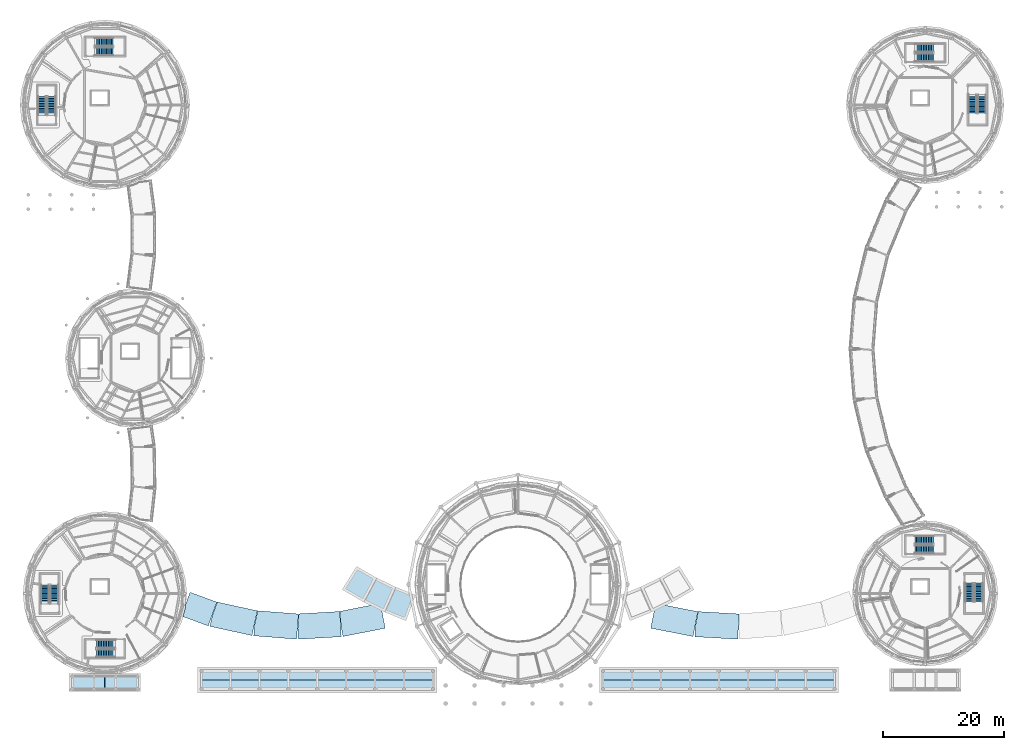
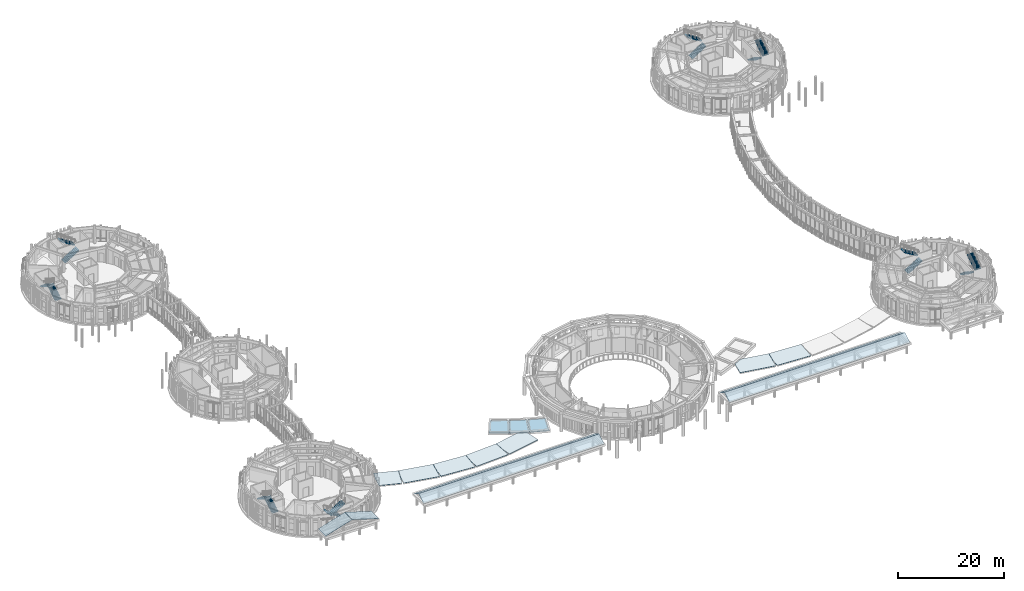
# One storey, part 57 of 80: 16 roofs, 16 stair flights, 8 elements without a shape of their own.
"""IFC4 building model written with IfcOpenShell, lengths in metres."""

import ifcopenshell
import ifcopenshell.guid

model = None  # the IFC model being written
_history = None  # IfcOwnerHistory: only IFC2X3 demands one
_inside = {}  # id of a spatial element -> (the spatial element, [elements in it])
_under = {}  # id of a project, library or spatial element -> (it, [spatial elements below it])
_declared = {}  # id of a project -> (the project, [libraries it declares])
_typed = {}  # id of a type object -> (the type object, [elements of that type])
_made_of = {}  # id of a material, layer set ... -> (it, [elements and type objects made of it])


def new_model(schema):
    """Start an empty IFC model of exactly this schema.

    Asked for "IFC4X3", IfcOpenShell would pick the latest addendum, in which some entities
    have other attributes; the version numbers below select the first issue.
    IFC2X3 requires an IfcOwnerHistory on every rooted entity: one is made here for all.
    """
    global model, _history
    if schema == "IFC4X3":
        model = ifcopenshell.file(schema_version=(4, 3, 0, 0))
    else:
        model = ifcopenshell.file(schema=schema)
    _inside.clear()
    _under.clear()
    _declared.clear()
    _typed.clear()
    _made_of.clear()
    _history = None
    if model.schema == "IFC2X3":
        org = make("IfcOrganization", Name="unknown")
        user = make(
            "IfcPersonAndOrganization",
            ThePerson=make("IfcPerson", FamilyName="unknown"),
            TheOrganization=org,
        )
        app = make(
            "IfcApplication",
            ApplicationDeveloper=org,
            Version="unknown",
            ApplicationFullName="unknown",
            ApplicationIdentifier="unknown",
        )
        _history = make(
            "IfcOwnerHistory",
            OwningUser=user,
            OwningApplication=app,
            ChangeAction="ADDED",
            CreationDate=0,
        )
    return model


def make(cls, **values):
    """One entity of the class cls with the attributes given. An attribute that is None is left unset."""
    return model.create_entity(
        cls, **{name: value for name, value in values.items() if value is not None}
    )


def rooted(cls, **values):
    """An entity with a GlobalId (a new one), such as an element, a storey or a relation."""
    return make(cls, GlobalId=ifcopenshell.guid.new(), OwnerHistory=_history, **values)


def si_unit(unit_type, name, prefix=None):
    """IfcSIUnit, for example si_unit("LENGTHUNIT", "METRE", prefix="MILLI")."""
    return make("IfcSIUnit", UnitType=unit_type, Prefix=prefix, Name=name)


def assignment(units):
    """IfcUnitAssignment: the units of a project."""
    return None if units is None else make("IfcUnitAssignment", Units=units)


def point(xyz):
    """IfcCartesianPoint."""
    return None if xyz is None else make("IfcCartesianPoint", Coordinates=xyz)


def direction(xyz):
    """IfcDirection."""
    return None if xyz is None else make("IfcDirection", DirectionRatios=xyz)


def frame(location, z_axis=None, x_axis=None):
    """IfcAxis2Placement3D, a coordinate frame: its origin and axes. An axis left out is left unset."""
    return make(
        "IfcAxis2Placement3D",
        Location=point(location),
        Axis=direction(z_axis),
        RefDirection=direction(x_axis),
    )


def origin():
    """The frame at (0, 0, 0) with its axes left unset."""
    return frame((0.0, 0.0, 0.0))


def place(relative_to, where):
    """IfcLocalPlacement: puts the frame where relative to a parent placement (None: the world)."""
    return make(
        "IfcLocalPlacement", PlacementRelTo=relative_to, RelativePlacement=where
    )


def context(
    kind, dimensions, precision=None, world=None, true_north=None, identifier=None
):
    """IfcGeometricRepresentationContext, for example the 3D "Model" context."""
    return make(
        "IfcGeometricRepresentationContext",
        ContextIdentifier=identifier,
        ContextType=kind,
        CoordinateSpaceDimension=dimensions,
        Precision=precision,
        WorldCoordinateSystem=world,
        TrueNorth=true_north,
    )


def subcontext(parent, identifier, kind, view, scale=None):
    """IfcGeometricRepresentationSubContext, for example "Body" below "Model"."""
    return make(
        "IfcGeometricRepresentationSubContext",
        ContextIdentifier=identifier,
        ContextType=kind,
        ParentContext=parent,
        TargetScale=scale,
        TargetView=view,
    )


def project(units=None, contexts=None):
    """IfcProject with its units and contexts."""
    return rooted(
        "IfcProject",
        Name="project",
        RepresentationContexts=contexts,
        UnitsInContext=assignment(units),
    )


def spatial(cls, under=None, at=None, **own):
    """A site, building, storey or space (cls), placed at a placement, below another one or the project."""
    s = rooted(cls, ObjectPlacement=at, **own)
    if under is not None:
        _under.setdefault(under.id(), (under, []))[1].append(s)
    return s


def polyline(points):
    """IfcPolyline through the points."""
    return make("IfcPolyline", Points=[point(p) for p in points])


def outline(outer, holes=None, kind="AREA"):
    """IfcArbitraryClosedProfileDef: a profile drawn as a closed curve; with holes, ...WithVoids."""
    if holes is None:
        return make("IfcArbitraryClosedProfileDef", ProfileType=kind, OuterCurve=outer)
    return make(
        "IfcArbitraryProfileDefWithVoids",
        ProfileType=kind,
        OuterCurve=outer,
        InnerCurves=holes,
    )


def extrude(swept, where, along, depth):
    """IfcExtrudedAreaSolid: the profile swept, set in the frame where, extruded along a direction by depth."""
    return make(
        "IfcExtrudedAreaSolid",
        SweptArea=swept,
        Position=where,
        ExtrudedDirection=direction(along),
        Depth=depth,
    )


def shape(context_of_items, identifier, shape_type, items):
    """IfcShapeRepresentation: the items that make up one representation, for example the "Body"."""
    return make(
        "IfcShapeRepresentation",
        ContextOfItems=context_of_items,
        RepresentationIdentifier=identifier,
        RepresentationType=shape_type,
        Items=items,
    )


def material(Name=None, Category=None):
    """IfcMaterial."""
    return make("IfcMaterial", Name=Name, Category=Category)


def layer(
    of_material, thickness, ventilated=None, Name=None, Category=None, Priority=None
):
    """IfcMaterialLayer: one layer of a wall or slab, of a material (None: an air gap)."""
    return make(
        "IfcMaterialLayer",
        Material=of_material,
        LayerThickness=thickness,
        IsVentilated=ventilated,
        Name=Name,
        Category=Category,
        Priority=Priority,
    )


def layer_set(layers, Name=None):
    """IfcMaterialLayerSet."""
    return make("IfcMaterialLayerSet", MaterialLayers=layers, LayerSetName=Name)


def made_of(thing, what):
    """Note that an element or type object is made of a material, layer set ...; save() writes the relation."""
    if what is not None:
        _made_of.setdefault(what.id(), (what, []))[1].append(thing)
    return thing


def type_object(cls, material=None, **own):
    """A type object (cls), such as IfcWallType, which elements share."""
    return made_of(rooted(cls, **own), material)


def element(
    cls,
    number,
    at=None,
    inside=None,
    cuts=None,
    type_object=None,
    material=None,
    context=None,
    identifier="Body",
    shape_type=None,
    held_by="IfcProductDefinitionShape",
    body=None,
    shapes=None,
    **own,
):
    """One element of the class cls, such as IfcWall. Its Tag is "e" and its number.

    at: its placement. inside: the storey or other place that contains it. cuts: it is an
    opening in that element (IfcRelVoidsElement). A single representation is given by context,
    identifier, shape_type and body (its items); several are given by shapes. held_by: the class
    of the entity that holds the representations. save() writes the other relations.
    """
    e = rooted(cls, Tag="e%d" % number, ObjectPlacement=at, **own)
    if body is not None:
        shapes = [shape(context, identifier, shape_type, body)]
    if shapes is not None:
        e.Representation = make(held_by, Representations=shapes)
    if inside is not None:
        _inside.setdefault(inside.id(), (inside, []))[1].append(e)
    if cuts is not None:
        rooted(
            "IfcRelVoidsElement", RelatingBuildingElement=cuts, RelatedOpeningElement=e
        )
    if type_object is not None:
        _typed.setdefault(type_object.id(), (type_object, []))[1].append(e)
    return made_of(e, material)


def aggregate(whole, parts):
    """IfcRelAggregates: a whole, such as a stair, and the parts it consists of."""
    return rooted("IfcRelAggregates", RelatingObject=whole, RelatedObjects=parts)


def save(model, path):
    """Write the relations noted so far, then the file.

    IfcRelAggregates (storeys below a building ...), IfcRelContainedInSpatialStructure (elements
    in a storey), IfcRelDefinesByType, IfcRelAssociatesMaterial and IfcRelDeclares: one each for
    every whole, place, type object, material and project.
    """
    for whole, parts in _under.values():
        aggregate(whole, parts)
    for where, things in _inside.values():
        rooted(
            "IfcRelContainedInSpatialStructure",
            RelatedElements=things,
            RelatingStructure=where,
        )
    for kind, things in _typed.values():
        rooted("IfcRelDefinesByType", RelatedObjects=things, RelatingType=kind)
    for what, things in _made_of.values():
        rooted("IfcRelAssociatesMaterial", RelatedObjects=things, RelatingMaterial=what)
    for by, libraries in _declared.values():
        rooted("IfcRelDeclares", RelatingContext=by, RelatedDefinitions=libraries)
    model.write(path)


model = new_model("IFC4")

# Units and contexts
model_context = context("Model", 3, precision=1e-05, world=origin(), true_north=direction((0.0, 1.0)))
body_context = subcontext(model_context, "Body", "Model", "MODEL_VIEW")
ifc_project = project(units=[si_unit("LENGTHUNIT", "METRE"), si_unit("AREAUNIT", "SQUARE_METRE"), si_unit("VOLUMEUNIT", "CUBIC_METRE"), si_unit("PLANEANGLEUNIT", "RADIAN"), si_unit("MASSUNIT", "GRAM", prefix="KILO")], contexts=[model_context])

# Site, building, storey
site_placement = place(None, origin())
site = spatial("IfcSite", under=ifc_project, at=site_placement, CompositionType="ELEMENT")
building_placement = place(site_placement, origin())
building = spatial("IfcBuilding", under=site, at=building_placement, Name="Aldenvaro Health Centre", CompositionType="ELEMENT")
storey_placement = place(building_placement, frame((0.0, 0.0, 4.550048828125)))
storey = spatial("IfcBuildingStorey", under=building, at=storey_placement, Name="L01", CompositionType="ELEMENT", Elevation=4.550048828125)

# Stair, stair flights
ifc_material_1 = material(Name="Concrete f'c 40 MPa", Category="concrete")
stair_type = type_object("IfcStairType", Name="STR-DOG-420", PredefinedType="HALF_TURN_STAIR", material=ifc_material_1)
stair_1_placement = place(storey_placement, origin())
stair_1 = element("IfcStair", 1, at=stair_1_placement, inside=storey, type_object=stair_type, Name="L01 Exit Stair ST-03", PredefinedType="HALF_TURN_STAIR")
stair_flight_type_1 = type_object("IfcStairFlightType", Name="STRF-01", PredefinedType="STRAIGHT", material=ifc_material_1)
stair_flight_1_placement = place(storey_placement, frame((162.375, 101.199951171875, 0.0), z_axis=(0.0, 0.0, 1.0), x_axis=(0.0, -1.0, 0.0)))
stair_flight_1 = element("IfcStairFlight", 2, at=stair_flight_1_placement, type_object=stair_flight_type_1, Name="ST-03 flight 1", NumberOfRisers=12, NumberOfTreads=11, PredefinedType="STRAIGHT", RiserHeight=0.175, TreadLength=0.28, context=body_context, shape_type="SweptSolid", body=[
    extrude(outline(polyline([(0.0, 0.0), (0.0, 0.175048828125), (0.280029296875, 0.175048828125), (0.280029296875, 0.35009765625), (0.56005859375, 0.35009765625), (0.56005859375, 0.52490234375), (0.840087890625, 0.52490234375), (0.840087890625, 0.699951171875), (1.1201171875, 0.699951171875), (1.1201171875, 0.875), (1.39990234375, 0.875), (1.39990234375, 1.050048828125), (1.679931640625, 1.050048828125), (1.679931640625, 1.22509765625), (1.9599609375, 1.22509765625), (1.9599609375, 1.39990234375), (2.239990234375, 1.39990234375), (2.239990234375, 1.574951171875), (2.52001953125, 1.574951171875), (2.52001953125, 1.75), (2.800048828125, 1.75), (2.800048828125, 1.925048828125), (3.080078125, 1.925048828125), (3.080078125, 2.10009765625), (3.080078125, 1.736328125), (0.3017578125, 0.0), (0.0, 0.0)])), frame((0.0, 0.675048828125, 0.0), z_axis=(0.0, -1.0, 0.0), x_axis=(1.0, 0.0, 0.0)), (0.0, 0.0, 1.0), 1.35009765625),
])
stair_flight_2_placement = place(storey_placement, frame((163.925048828125, 98.1201171875, 2.099853515625), z_axis=(0.0, 0.0, 1.0), x_axis=(0.0, 1.0, 0.0)))
stair_flight_2 = element("IfcStairFlight", 3, at=stair_flight_2_placement, type_object=stair_flight_type_1, Name="ST-03 flight 2", NumberOfRisers=12, NumberOfTreads=11, PredefinedType="STRAIGHT", RiserHeight=0.175, TreadLength=0.28, context=body_context, shape_type="SweptSolid", body=[
    extrude(outline(polyline([(0.0, 0.0), (0.0, 0.175048828125), (0.280029296875, 0.175048828125), (0.280029296875, 0.35009765625), (0.56005859375, 0.35009765625), (0.56005859375, 0.52490234375), (0.840087890625, 0.52490234375), (0.840087890625, 0.699951171875), (1.1201171875, 0.699951171875), (1.1201171875, 0.875), (1.39990234375, 0.875), (1.39990234375, 1.050048828125), (1.679931640625, 1.050048828125), (1.679931640625, 1.22509765625), (1.9599609375, 1.22509765625), (1.9599609375, 1.39990234375), (2.239990234375, 1.39990234375), (2.239990234375, 1.574951171875), (2.52001953125, 1.574951171875), (2.52001953125, 1.75), (2.800048828125, 1.75), (2.800048828125, 1.925048828125), (3.080078125, 1.925048828125), (3.080078125, 2.10009765625), (3.080078125, 1.736328125), (0.3017578125, 0.0), (0.0, 0.0)])), frame((0.0, 0.675048828125, 0.0), z_axis=(0.0, -1.0, 0.0), x_axis=(1.0, 0.0, 0.0)), (0.0, 0.0, 1.0), 1.35009765625),
])
aggregate(stair_1, [stair_flight_1, stair_flight_2])

stair_2_placement = place(storey_placement, origin())
stair_2 = element("IfcStair", 4, at=stair_2_placement, inside=storey, type_object=stair_type, Name="L01 Exit Stair ST-07", PredefinedType="HALF_TURN_STAIR")
stair_flight_3_placement = place(storey_placement, frame((16.800048828125, 108.375, 0.0), z_axis=(0.0, 0.0, 1.0), x_axis=(1.0, 0.0, 0.0)))
stair_flight_3 = element("IfcStairFlight", 5, at=stair_flight_3_placement, type_object=stair_flight_type_1, Name="ST-07 flight 1", NumberOfRisers=12, NumberOfTreads=11, PredefinedType="STRAIGHT", RiserHeight=0.175, TreadLength=0.28, context=body_context, shape_type="SweptSolid", body=[
    extrude(outline(polyline([(0.0, 0.0), (0.0, 0.175048828125), (0.280029296875, 0.175048828125), (0.280029296875, 0.35009765625), (0.56005859375, 0.35009765625), (0.56005859375, 0.52490234375), (0.840087890625, 0.52490234375), (0.840087890625, 0.699951171875), (1.1201171875, 0.699951171875), (1.1201171875, 0.875), (1.39990234375, 0.875), (1.39990234375, 1.050048828125), (1.679931640625, 1.050048828125), (1.679931640625, 1.22509765625), (1.9599609375, 1.22509765625), (1.9599609375, 1.39990234375), (2.239990234375, 1.39990234375), (2.239990234375, 1.574951171875), (2.52001953125, 1.574951171875), (2.52001953125, 1.75), (2.800048828125, 1.75), (2.800048828125, 1.925048828125), (3.080078125, 1.925048828125), (3.080078125, 2.10009765625), (3.080078125, 1.736328125), (0.3017578125, 0.0), (0.0, 0.0)])), frame((0.0, 0.675048828125, 0.0), z_axis=(0.0, -1.0, 0.0), x_axis=(1.0, 0.0, 0.0)), (0.0, 0.0, 1.0), 1.35009765625),
])
stair_flight_4_placement = place(storey_placement, frame((19.8798828125, 109.925048828125, 2.099853515625), z_axis=(0.0, 0.0, 1.0), x_axis=(-1.0, 0.0, 0.0)))
stair_flight_4 = element("IfcStairFlight", 6, at=stair_flight_4_placement, type_object=stair_flight_type_1, Name="ST-07 flight 2", NumberOfRisers=12, NumberOfTreads=11, PredefinedType="STRAIGHT", RiserHeight=0.175, TreadLength=0.28, context=body_context, shape_type="SweptSolid", body=[
    extrude(outline(polyline([(0.0, 0.0), (0.0, 0.175048828125), (0.280029296875, 0.175048828125), (0.280029296875, 0.35009765625), (0.56005859375, 0.35009765625), (0.56005859375, 0.52490234375), (0.840087890625, 0.52490234375), (0.840087890625, 0.699951171875), (1.1201171875, 0.699951171875), (1.1201171875, 0.875), (1.39990234375, 0.875), (1.39990234375, 1.050048828125), (1.679931640625, 1.050048828125), (1.679931640625, 1.22509765625), (1.9599609375, 1.22509765625), (1.9599609375, 1.39990234375), (2.239990234375, 1.39990234375), (2.239990234375, 1.574951171875), (2.52001953125, 1.574951171875), (2.52001953125, 1.75), (2.800048828125, 1.75), (2.800048828125, 1.925048828125), (3.080078125, 1.925048828125), (3.080078125, 2.10009765625), (3.080078125, 1.736328125), (0.3017578125, 0.0), (0.0, 0.0)])), frame((0.0, 0.675048828125, 0.0), z_axis=(0.0, -1.0, 0.0), x_axis=(1.0, 0.0, 0.0)), (0.0, 0.0, 1.0), 1.35009765625),
])
aggregate(stair_2, [stair_flight_3, stair_flight_4])

stair_3_placement = place(storey_placement, origin())
stair_3 = element("IfcStair", 7, at=stair_3_placement, inside=storey, type_object=stair_type, Name="L01 Exit Stair ST-09", PredefinedType="HALF_TURN_STAIR")
stair_flight_5_placement = place(storey_placement, frame((10.125, 16.800048828125, 0.0), z_axis=(0.0, 0.0, 1.0), x_axis=(0.0, 1.0, 0.0)))
stair_flight_5 = element("IfcStairFlight", 8, at=stair_flight_5_placement, type_object=stair_flight_type_1, Name="ST-09 flight 1", NumberOfRisers=12, NumberOfTreads=11, PredefinedType="STRAIGHT", RiserHeight=0.175, TreadLength=0.28, context=body_context, shape_type="SweptSolid", body=[
    extrude(outline(polyline([(0.0, 0.0), (0.0, 0.175048828125), (0.280029296875, 0.175048828125), (0.280029296875, 0.35009765625), (0.56005859375, 0.35009765625), (0.56005859375, 0.52490234375), (0.840087890625, 0.52490234375), (0.840087890625, 0.699951171875), (1.1201171875, 0.699951171875), (1.1201171875, 0.875), (1.39990234375, 0.875), (1.39990234375, 1.050048828125), (1.679931640625, 1.050048828125), (1.679931640625, 1.22509765625), (1.9599609375, 1.22509765625), (1.9599609375, 1.39990234375), (2.239990234375, 1.39990234375), (2.239990234375, 1.574951171875), (2.52001953125, 1.574951171875), (2.52001953125, 1.75), (2.800048828125, 1.75), (2.800048828125, 1.925048828125), (3.080078125, 1.925048828125), (3.080078125, 2.10009765625), (3.080078125, 1.736328125), (0.3017578125, 0.0), (0.0, 0.0)])), frame((0.0, 0.675048828125, 0.0), z_axis=(0.0, -1.0, 0.0), x_axis=(1.0, 0.0, 0.0)), (0.0, 0.0, 1.0), 1.35009765625),
])
stair_flight_6_placement = place(storey_placement, frame((8.574951171875, 19.8798828125, 2.099853515625), z_axis=(0.0, 0.0, 1.0), x_axis=(0.0, -1.0, 0.0)))
stair_flight_6 = element("IfcStairFlight", 9, at=stair_flight_6_placement, type_object=stair_flight_type_1, Name="ST-09 flight 2", NumberOfRisers=12, NumberOfTreads=11, PredefinedType="STRAIGHT", RiserHeight=0.175, TreadLength=0.28, context=body_context, shape_type="SweptSolid", body=[
    extrude(outline(polyline([(0.0, 0.0), (0.0, 0.175048828125), (0.280029296875, 0.175048828125), (0.280029296875, 0.35009765625), (0.56005859375, 0.35009765625), (0.56005859375, 0.52490234375), (0.840087890625, 0.52490234375), (0.840087890625, 0.699951171875), (1.1201171875, 0.699951171875), (1.1201171875, 0.875), (1.39990234375, 0.875), (1.39990234375, 1.050048828125), (1.679931640625, 1.050048828125), (1.679931640625, 1.22509765625), (1.9599609375, 1.22509765625), (1.9599609375, 1.39990234375), (2.239990234375, 1.39990234375), (2.239990234375, 1.574951171875), (2.52001953125, 1.574951171875), (2.52001953125, 1.75), (2.800048828125, 1.75), (2.800048828125, 1.925048828125), (3.080078125, 1.925048828125), (3.080078125, 2.10009765625), (3.080078125, 1.736328125), (0.3017578125, 0.0), (0.0, 0.0)])), frame((0.0, 0.675048828125, 0.0), z_axis=(0.0, -1.0, 0.0), x_axis=(1.0, 0.0, 0.0)), (0.0, 0.0, 1.0), 1.35009765625),
])
aggregate(stair_3, [stair_flight_5, stair_flight_6])

stair_4_placement = place(storey_placement, origin())
stair_4 = element("IfcStair", 10, at=stair_4_placement, inside=storey, type_object=stair_type, Name="L01 Exit Stair ST-11", PredefinedType="HALF_TURN_STAIR")
stair_flight_7_placement = place(storey_placement, frame((161.824951171875, 20.199951171875, 0.0), z_axis=(0.0, 0.0, 1.0), x_axis=(0.0, -1.0, 0.0)))
stair_flight_7 = element("IfcStairFlight", 11, at=stair_flight_7_placement, type_object=stair_flight_type_1, Name="ST-11 flight 1", NumberOfRisers=12, NumberOfTreads=11, PredefinedType="STRAIGHT", RiserHeight=0.175, TreadLength=0.28, context=body_context, shape_type="SweptSolid", body=[
    extrude(outline(polyline([(0.0, 0.0), (0.0, 0.175048828125), (0.280029296875, 0.175048828125), (0.280029296875, 0.35009765625), (0.56005859375, 0.35009765625), (0.56005859375, 0.52490234375), (0.840087890625, 0.52490234375), (0.840087890625, 0.699951171875), (1.1201171875, 0.699951171875), (1.1201171875, 0.875), (1.39990234375, 0.875), (1.39990234375, 1.050048828125), (1.679931640625, 1.050048828125), (1.679931640625, 1.22509765625), (1.9599609375, 1.22509765625), (1.9599609375, 1.39990234375), (2.239990234375, 1.39990234375), (2.239990234375, 1.574951171875), (2.52001953125, 1.574951171875), (2.52001953125, 1.75), (2.800048828125, 1.75), (2.800048828125, 1.925048828125), (3.080078125, 1.925048828125), (3.080078125, 2.10009765625), (3.080078125, 1.736328125), (0.3017578125, 0.0), (0.0, 0.0)])), frame((0.0, 0.675048828125, 0.0), z_axis=(0.0, -1.0, 0.0), x_axis=(1.0, 0.0, 0.0)), (0.0, 0.0, 1.0), 1.35009765625),
])
stair_flight_8_placement = place(storey_placement, frame((163.375, 17.1201171875, 2.099853515625), z_axis=(0.0, 0.0, 1.0), x_axis=(0.0, 1.0, 0.0)))
stair_flight_8 = element("IfcStairFlight", 12, at=stair_flight_8_placement, type_object=stair_flight_type_1, Name="ST-11 flight 2", NumberOfRisers=12, NumberOfTreads=11, PredefinedType="STRAIGHT", RiserHeight=0.175, TreadLength=0.28, context=body_context, shape_type="SweptSolid", body=[
    extrude(outline(polyline([(0.0, 0.0), (0.0, 0.175048828125), (0.280029296875, 0.175048828125), (0.280029296875, 0.35009765625), (0.56005859375, 0.35009765625), (0.56005859375, 0.52490234375), (0.840087890625, 0.52490234375), (0.840087890625, 0.699951171875), (1.1201171875, 0.699951171875), (1.1201171875, 0.875), (1.39990234375, 0.875), (1.39990234375, 1.050048828125), (1.679931640625, 1.050048828125), (1.679931640625, 1.22509765625), (1.9599609375, 1.22509765625), (1.9599609375, 1.39990234375), (2.239990234375, 1.39990234375), (2.239990234375, 1.574951171875), (2.52001953125, 1.574951171875), (2.52001953125, 1.75), (2.800048828125, 1.75), (2.800048828125, 1.925048828125), (3.080078125, 1.925048828125), (3.080078125, 2.10009765625), (3.080078125, 1.736328125), (0.3017578125, 0.0), (0.0, 0.0)])), frame((0.0, 0.675048828125, 0.0), z_axis=(0.0, -1.0, 0.0), x_axis=(1.0, 0.0, 0.0)), (0.0, 0.0, 1.0), 1.35009765625),
])
aggregate(stair_4, [stair_flight_7, stair_flight_8])

stair_5_placement = place(storey_placement, origin())
stair_5 = element("IfcStair", 13, at=stair_5_placement, inside=storey, type_object=stair_type, Name="L01 Exit Stair ST-04", PredefinedType="HALF_TURN_STAIR")
stair_flight_type_2 = type_object("IfcStairFlightType", Name="STRF-02", PredefinedType="STRAIGHT", material=ifc_material_1)
stair_flight_9_placement = place(storey_placement, frame((152.800048828125, 107.375, 0.0), z_axis=(0.0, 0.0, 1.0), x_axis=(1.0, 0.0, 0.0)))
stair_flight_9 = element("IfcStairFlight", 14, at=stair_flight_9_placement, type_object=stair_flight_type_2, Name="ST-04 flight 1", NumberOfRisers=12, NumberOfTreads=11, PredefinedType="STRAIGHT", RiserHeight=0.175, TreadLength=0.28, context=body_context, shape_type="SweptSolid", body=[
    extrude(outline(polyline([(0.0, 0.0), (0.0, 0.175048828125), (0.280029296875, 0.175048828125), (0.280029296875, 0.35009765625), (0.56005859375, 0.35009765625), (0.56005859375, 0.52490234375), (0.840087890625, 0.52490234375), (0.840087890625, 0.699951171875), (1.1201171875, 0.699951171875), (1.1201171875, 0.875), (1.39990234375, 0.875), (1.39990234375, 1.050048828125), (1.679931640625, 1.050048828125), (1.679931640625, 1.22509765625), (1.9599609375, 1.22509765625), (1.9599609375, 1.39990234375), (2.239990234375, 1.39990234375), (2.239990234375, 1.574951171875), (2.52001953125, 1.574951171875), (2.52001953125, 1.75), (2.800048828125, 1.75), (2.800048828125, 1.925048828125), (3.080078125, 1.925048828125), (3.080078125, 2.10009765625), (3.080078125, 1.736328125), (0.3017578125, 0.0), (0.0, 0.0)])), frame((0.0, 0.675048828125, 0.0), z_axis=(0.0, -1.0, 0.0), x_axis=(1.0, 0.0, 0.0)), (0.0, 0.0, 1.0), 1.35009765625),
])
stair_flight_10_placement = place(storey_placement, frame((155.8798828125, 108.925048828125, 2.099853515625), z_axis=(0.0, 0.0, 1.0), x_axis=(-1.0, 0.0, 0.0)))
stair_flight_10 = element("IfcStairFlight", 15, at=stair_flight_10_placement, type_object=stair_flight_type_2, Name="ST-04 flight 2", NumberOfRisers=12, NumberOfTreads=11, PredefinedType="STRAIGHT", RiserHeight=0.175, TreadLength=0.28, context=body_context, shape_type="SweptSolid", body=[
    extrude(outline(polyline([(0.0, 0.0), (0.0, 0.175048828125), (0.280029296875, 0.175048828125), (0.280029296875, 0.35009765625), (0.56005859375, 0.35009765625), (0.56005859375, 0.52490234375), (0.840087890625, 0.52490234375), (0.840087890625, 0.699951171875), (1.1201171875, 0.699951171875), (1.1201171875, 0.875), (1.39990234375, 0.875), (1.39990234375, 1.050048828125), (1.679931640625, 1.050048828125), (1.679931640625, 1.22509765625), (1.9599609375, 1.22509765625), (1.9599609375, 1.39990234375), (2.239990234375, 1.39990234375), (2.239990234375, 1.574951171875), (2.52001953125, 1.574951171875), (2.52001953125, 1.75), (2.800048828125, 1.75), (2.800048828125, 1.925048828125), (3.080078125, 1.925048828125), (3.080078125, 2.10009765625), (3.080078125, 1.736328125), (0.3017578125, 0.0), (0.0, 0.0)])), frame((0.0, 0.675048828125, 0.0), z_axis=(0.0, -1.0, 0.0), x_axis=(1.0, 0.0, 0.0)), (0.0, 0.0, 1.0), 1.35009765625),
])
aggregate(stair_5, [stair_flight_9, stair_flight_10])

stair_6_placement = place(storey_placement, origin())
stair_6 = element("IfcStair", 16, at=stair_6_placement, inside=storey, type_object=stair_type, Name="L01 Exit Stair ST-08", PredefinedType="HALF_TURN_STAIR")
stair_flight_11_placement = place(storey_placement, frame((9.625, 97.800048828125, 0.0), z_axis=(0.0, 0.0, 1.0), x_axis=(0.0, 1.0, 0.0)))
stair_flight_11 = element("IfcStairFlight", 17, at=stair_flight_11_placement, type_object=stair_flight_type_2, Name="ST-08 flight 1", NumberOfRisers=12, NumberOfTreads=11, PredefinedType="STRAIGHT", RiserHeight=0.175, TreadLength=0.28, context=body_context, shape_type="SweptSolid", body=[
    extrude(outline(polyline([(0.0, 0.0), (0.0, 0.175048828125), (0.280029296875, 0.175048828125), (0.280029296875, 0.35009765625), (0.56005859375, 0.35009765625), (0.56005859375, 0.52490234375), (0.840087890625, 0.52490234375), (0.840087890625, 0.699951171875), (1.1201171875, 0.699951171875), (1.1201171875, 0.875), (1.39990234375, 0.875), (1.39990234375, 1.050048828125), (1.679931640625, 1.050048828125), (1.679931640625, 1.22509765625), (1.9599609375, 1.22509765625), (1.9599609375, 1.39990234375), (2.239990234375, 1.39990234375), (2.239990234375, 1.574951171875), (2.52001953125, 1.574951171875), (2.52001953125, 1.75), (2.800048828125, 1.75), (2.800048828125, 1.925048828125), (3.080078125, 1.925048828125), (3.080078125, 2.10009765625), (3.080078125, 1.736328125), (0.3017578125, 0.0), (0.0, 0.0)])), frame((0.0, 0.675048828125, 0.0), z_axis=(0.0, -1.0, 0.0), x_axis=(1.0, 0.0, 0.0)), (0.0, 0.0, 1.0), 1.35009765625),
])
stair_flight_12_placement = place(storey_placement, frame((8.074951171875, 100.8798828125, 2.099853515625), z_axis=(0.0, 0.0, 1.0), x_axis=(0.0, -1.0, 0.0)))
stair_flight_12 = element("IfcStairFlight", 18, at=stair_flight_12_placement, type_object=stair_flight_type_2, Name="ST-08 flight 2", NumberOfRisers=12, NumberOfTreads=11, PredefinedType="STRAIGHT", RiserHeight=0.175, TreadLength=0.28, context=body_context, shape_type="SweptSolid", body=[
    extrude(outline(polyline([(0.0, 0.0), (0.0, 0.175048828125), (0.280029296875, 0.175048828125), (0.280029296875, 0.35009765625), (0.56005859375, 0.35009765625), (0.56005859375, 0.52490234375), (0.840087890625, 0.52490234375), (0.840087890625, 0.699951171875), (1.1201171875, 0.699951171875), (1.1201171875, 0.875), (1.39990234375, 0.875), (1.39990234375, 1.050048828125), (1.679931640625, 1.050048828125), (1.679931640625, 1.22509765625), (1.9599609375, 1.22509765625), (1.9599609375, 1.39990234375), (2.239990234375, 1.39990234375), (2.239990234375, 1.574951171875), (2.52001953125, 1.574951171875), (2.52001953125, 1.75), (2.800048828125, 1.75), (2.800048828125, 1.925048828125), (3.080078125, 1.925048828125), (3.080078125, 2.10009765625), (3.080078125, 1.736328125), (0.3017578125, 0.0), (0.0, 0.0)])), frame((0.0, 0.675048828125, 0.0), z_axis=(0.0, -1.0, 0.0), x_axis=(1.0, 0.0, 0.0)), (0.0, 0.0, 1.0), 1.35009765625),
])
aggregate(stair_6, [stair_flight_11, stair_flight_12])

stair_7_placement = place(storey_placement, origin())
stair_7 = element("IfcStair", 19, at=stair_7_placement, inside=storey, type_object=stair_type, Name="L01 Exit Stair ST-10", PredefinedType="HALF_TURN_STAIR")
stair_flight_13_placement = place(storey_placement, frame((20.199951171875, 10.125, 0.0), z_axis=(0.0, 0.0, 1.0), x_axis=(-1.0, 0.0, 0.0)))
stair_flight_13 = element("IfcStairFlight", 20, at=stair_flight_13_placement, type_object=stair_flight_type_2, Name="ST-10 flight 1", NumberOfRisers=12, NumberOfTreads=11, PredefinedType="STRAIGHT", RiserHeight=0.175, TreadLength=0.28, context=body_context, shape_type="SweptSolid", body=[
    extrude(outline(polyline([(0.0, 0.0), (0.0, 0.175048828125), (0.280029296875, 0.175048828125), (0.280029296875, 0.35009765625), (0.56005859375, 0.35009765625), (0.56005859375, 0.52490234375), (0.840087890625, 0.52490234375), (0.840087890625, 0.699951171875), (1.1201171875, 0.699951171875), (1.1201171875, 0.875), (1.39990234375, 0.875), (1.39990234375, 1.050048828125), (1.679931640625, 1.050048828125), (1.679931640625, 1.22509765625), (1.9599609375, 1.22509765625), (1.9599609375, 1.39990234375), (2.239990234375, 1.39990234375), (2.239990234375, 1.574951171875), (2.52001953125, 1.574951171875), (2.52001953125, 1.75), (2.800048828125, 1.75), (2.800048828125, 1.925048828125), (3.080078125, 1.925048828125), (3.080078125, 2.10009765625), (3.080078125, 1.736328125), (0.3017578125, 0.0), (0.0, 0.0)])), frame((0.0, 0.675048828125, 0.0), z_axis=(0.0, -1.0, 0.0), x_axis=(1.0, 0.0, 0.0)), (0.0, 0.0, 1.0), 1.35009765625),
])
stair_flight_14_placement = place(storey_placement, frame((17.1201171875, 8.574951171875, 2.099853515625), z_axis=(0.0, 0.0, 1.0), x_axis=(1.0, 0.0, 0.0)))
stair_flight_14 = element("IfcStairFlight", 21, at=stair_flight_14_placement, type_object=stair_flight_type_2, Name="ST-10 flight 2", NumberOfRisers=12, NumberOfTreads=11, PredefinedType="STRAIGHT", RiserHeight=0.175, TreadLength=0.28, context=body_context, shape_type="SweptSolid", body=[
    extrude(outline(polyline([(0.0, 0.0), (0.0, 0.175048828125), (0.280029296875, 0.175048828125), (0.280029296875, 0.35009765625), (0.56005859375, 0.35009765625), (0.56005859375, 0.52490234375), (0.840087890625, 0.52490234375), (0.840087890625, 0.699951171875), (1.1201171875, 0.699951171875), (1.1201171875, 0.875), (1.39990234375, 0.875), (1.39990234375, 1.050048828125), (1.679931640625, 1.050048828125), (1.679931640625, 1.22509765625), (1.9599609375, 1.22509765625), (1.9599609375, 1.39990234375), (2.239990234375, 1.39990234375), (2.239990234375, 1.574951171875), (2.52001953125, 1.574951171875), (2.52001953125, 1.75), (2.800048828125, 1.75), (2.800048828125, 1.925048828125), (3.080078125, 1.925048828125), (3.080078125, 2.10009765625), (3.080078125, 1.736328125), (0.3017578125, 0.0), (0.0, 0.0)])), frame((0.0, 0.675048828125, 0.0), z_axis=(0.0, -1.0, 0.0), x_axis=(1.0, 0.0, 0.0)), (0.0, 0.0, 1.0), 1.35009765625),
])
aggregate(stair_7, [stair_flight_13, stair_flight_14])

stair_8_placement = place(storey_placement, origin())
stair_8 = element("IfcStair", 22, at=stair_8_placement, inside=storey, type_object=stair_type, Name="L01 Exit Stair ST-12", PredefinedType="HALF_TURN_STAIR")
stair_flight_15_placement = place(storey_placement, frame((152.800048828125, 25.824951171875, 0.0), z_axis=(0.0, 0.0, 1.0), x_axis=(1.0, 0.0, 0.0)))
stair_flight_15 = element("IfcStairFlight", 23, at=stair_flight_15_placement, type_object=stair_flight_type_2, Name="ST-12 flight 1", NumberOfRisers=12, NumberOfTreads=11, PredefinedType="STRAIGHT", RiserHeight=0.175, TreadLength=0.28, context=body_context, shape_type="SweptSolid", body=[
    extrude(outline(polyline([(0.0, 0.0), (0.0, 0.175048828125), (0.280029296875, 0.175048828125), (0.280029296875, 0.35009765625), (0.56005859375, 0.35009765625), (0.56005859375, 0.52490234375), (0.840087890625, 0.52490234375), (0.840087890625, 0.699951171875), (1.1201171875, 0.699951171875), (1.1201171875, 0.875), (1.39990234375, 0.875), (1.39990234375, 1.050048828125), (1.679931640625, 1.050048828125), (1.679931640625, 1.22509765625), (1.9599609375, 1.22509765625), (1.9599609375, 1.39990234375), (2.239990234375, 1.39990234375), (2.239990234375, 1.574951171875), (2.52001953125, 1.574951171875), (2.52001953125, 1.75), (2.800048828125, 1.75), (2.800048828125, 1.925048828125), (3.080078125, 1.925048828125), (3.080078125, 2.10009765625), (3.080078125, 1.736328125), (0.3017578125, 0.0), (0.0, 0.0)])), frame((0.0, 0.675048828125, 0.0), z_axis=(0.0, -1.0, 0.0), x_axis=(1.0, 0.0, 0.0)), (0.0, 0.0, 1.0), 1.35009765625),
])
stair_flight_16_placement = place(storey_placement, frame((155.8798828125, 27.375, 2.099853515625), z_axis=(0.0, 0.0, 1.0), x_axis=(-1.0, 0.0, 0.0)))
stair_flight_16 = element("IfcStairFlight", 24, at=stair_flight_16_placement, type_object=stair_flight_type_2, Name="ST-12 flight 2", NumberOfRisers=12, NumberOfTreads=11, PredefinedType="STRAIGHT", RiserHeight=0.175, TreadLength=0.28, context=body_context, shape_type="SweptSolid", body=[
    extrude(outline(polyline([(0.0, 0.0), (0.0, 0.175048828125), (0.280029296875, 0.175048828125), (0.280029296875, 0.35009765625), (0.56005859375, 0.35009765625), (0.56005859375, 0.52490234375), (0.840087890625, 0.52490234375), (0.840087890625, 0.699951171875), (1.1201171875, 0.699951171875), (1.1201171875, 0.875), (1.39990234375, 0.875), (1.39990234375, 1.050048828125), (1.679931640625, 1.050048828125), (1.679931640625, 1.22509765625), (1.9599609375, 1.22509765625), (1.9599609375, 1.39990234375), (2.239990234375, 1.39990234375), (2.239990234375, 1.574951171875), (2.52001953125, 1.574951171875), (2.52001953125, 1.75), (2.800048828125, 1.75), (2.800048828125, 1.925048828125), (3.080078125, 1.925048828125), (3.080078125, 2.10009765625), (3.080078125, 1.736328125), (0.3017578125, 0.0), (0.0, 0.0)])), frame((0.0, 0.675048828125, 0.0), z_axis=(0.0, -1.0, 0.0), x_axis=(1.0, 0.0, 0.0)), (0.0, 0.0, 1.0), 1.35009765625),
])
aggregate(stair_8, [stair_flight_15, stair_flight_16])

# Roofs
ifc_layer_1 = layer(ifc_material_1, 0.205078125, Name="Concrete f'c 40 MPa", Category="concrete")
ifc_layer_set_1 = layer_set([ifc_layer_1], Name="Concrete f'c 40 MPa")
roof_type_1 = type_object("IfcRoofType", Name="RF-FLAT-205", PredefinedType="FLAT_ROOF", material=ifc_layer_set_1)
roof_1_placement = place(storey_placement, origin())
element("IfcRoof", 25, at=roof_1_placement, inside=storey, type_object=roof_type_1, Name="South West Curved Peristyle Walkway Arc 1 flat roof", PredefinedType="FLAT_ROOF", context=body_context, shape_type="SweptSolid", body=[
    extrude(outline(polyline([(32.614990234375, 18.68896484375), (37.074951171875, 17.056884765625), (35.631103515625, 13.113037109375), (31.44189453125, 14.64599609375), (31.843994140625, 16.14697265625), (31.89404296875, 16.717041015625), (32.614990234375, 18.68896484375)])), origin(), (0.0, 0.0, 1.0), 0.06005859375),
])
roof_2_placement = place(storey_placement, origin())
element("IfcRoof", 26, at=roof_2_placement, inside=storey, type_object=roof_type_1, Name="South West Curved Peristyle Walkway Arc 2 flat roof", PredefinedType="FLAT_ROOF", context=body_context, shape_type="SweptSolid", body=[
    extrude(outline(polyline([(43.779052734375, 15.614990234375), (42.883056640625, 11.510986328125), (35.905029296875, 13.032958984375), (36.2900390625, 14.797119140625), (37.12109375, 17.06689453125), (43.779052734375, 15.614990234375)])), origin(), (0.0, 0.0, 1.0), 0.06005859375),
])
roof_3_placement = place(storey_placement, origin())
element("IfcRoof", 27, at=roof_3_placement, inside=storey, type_object=roof_type_1, Name="South West Curved Peristyle Walkway Arc 3 flat roof", PredefinedType="FLAT_ROOF", context=body_context, shape_type="SweptSolid", body=[
    extrude(outline(polyline([(50.614990234375, 15.096923828125), (50.284912109375, 10.908935546875), (43.166015625, 11.468994140625), (43.30810546875, 13.27001953125), (43.822998046875, 15.631103515625), (50.614990234375, 15.096923828125)])), origin(), (0.0, 0.0, 1.0), 0.06005859375),
])
roof_4_placement = place(storey_placement, origin())
element("IfcRoof", 28, at=roof_4_placement, inside=storey, type_object=roof_type_1, Name="South West Curved Peristyle Walkway Arc 4 flat roof", PredefinedType="FLAT_ROOF", context=body_context, shape_type="SweptSolid", body=[
    extrude(outline(polyline([(57.458984375, 15.510986328125), (57.700927734375, 11.31689453125), (50.571044921875, 10.906005859375), (50.467041015625, 12.708984375), (50.656982421875, 15.117919921875), (57.458984375, 15.510986328125)])), origin(), (0.0, 0.0, 1.0), 0.06005859375),
])
roof_5_placement = place(storey_placement, origin())
element("IfcRoof", 29, at=roof_5_placement, inside=storey, type_object=roof_type_1, Name="South West Curved Peristyle Walkway Arc 5 flat roof", PredefinedType="FLAT_ROOF", context=body_context, shape_type="SweptSolid", body=[
    extrude(outline(polyline([(64.991943359375, 12.72802734375), (57.98388671875, 11.35302734375), (57.636962890625, 13.125), (57.498046875, 15.5380859375), (62.739013671875, 16.56591796875), (64.39794921875, 15.757080078125), (64.991943359375, 12.72802734375)])), origin(), (0.0, 0.0, 1.0), 0.06005859375),
])
roof_6_placement = place(storey_placement, origin())
element("IfcRoof", 30, at=roof_6_placement, inside=storey, type_object=roof_type_1, Name="South East Curved Peristyle Walkway Arc 1 flat roof", PredefinedType="FLAT_ROOF", context=body_context, shape_type="SweptSolid", body=[
    extrude(outline(polyline([(116.823974609375, 15.47509765625), (116.01611328125, 11.35302734375), (109.008056640625, 12.72802734375), (109.60205078125, 15.756103515625), (111.260986328125, 16.56591796875), (116.823974609375, 15.47509765625)])), origin(), (0.0, 0.0, 1.0), 0.06005859375),
])
roof_7_placement = place(storey_placement, origin())
element("IfcRoof", 31, at=roof_7_placement, inside=storey, type_object=roof_type_1, Name="South East Curved Peristyle Walkway Arc 2 flat roof", PredefinedType="FLAT_ROOF", context=body_context, shape_type="SweptSolid", body=[
    extrude(outline(polyline([(123.6708984375, 15.10009765625), (123.428955078125, 10.906005859375), (116.299072265625, 11.31689453125), (116.403076171875, 13.118896484375), (116.867919921875, 15.491943359375), (123.6708984375, 15.10009765625)])), origin(), (0.0, 0.0, 1.0), 0.06005859375),
])
ifc_layer_2 = layer(ifc_material_1, 0.22998046875, Name="Concrete f'c 40 MPa", Category="concrete")
ifc_layer_set_2 = layer_set([ifc_layer_2], Name="Concrete f'c 40 MPa")
roof_type_2 = type_object("IfcRoofType", Name="RF-FLAT-230", PredefinedType="FLAT_ROOF", material=ifc_layer_set_2)
roof_8_placement = place(storey_placement, origin())
element("IfcRoof", 32, at=roof_8_placement, inside=storey, type_object=roof_type_2, Name="Colonnade Flat Roof Membrane 01", PredefinedType="FLAT_ROOF", context=body_context, shape_type="SweptSolid", body=[
    extrude(outline(polyline([(60.2919921875, 22.758056640625), (58.06591796875, 19.197021484375), (61.366943359375, 17.291015625), (63.339111328125, 20.9990234375), (60.2919921875, 22.758056640625)])), origin(), (0.0, 0.0, 1.0), 0.06005859375),
])
ifc_material_2 = material(Name="Cross-laminated timber CLT E1", Category="wood")
ifc_layer_3 = layer(ifc_material_2, 0.215087890625, Name="Cross-laminated timber CLT E1", Category="wood")
ifc_layer_set_3 = layer_set([ifc_layer_3], Name="Cross-laminated timber CLT E1")
roof_type_3 = type_object("IfcRoofType", Name="RF-HIP-215", PredefinedType="HIP_ROOF", material=ifc_layer_set_3)
roof_9_placement = place(storey_placement, frame((100.64990234375, 2.199951171875, 2.52001953125), z_axis=(0.0, -0.521620259908, 0.853177768378), x_axis=(1.0, 0.0, 0.0)))
element("IfcRoof", 33, at=roof_9_placement, inside=storey, type_object=roof_type_3, Name="South Neoclassical Stoa E Pitched Roof Slope S", PredefinedType="HIP_ROOF", context=body_context, shape_type="SweptSolid", body=[
    extrude(outline(polyline([(0.0, 0.0), (39.300048828125, 0.0), (39.300048828125, 2.2620510193259364), (0.0, 2.2620510193259364), (0.0, 0.0)])), origin(), (0.0, 0.0, -1.0), 0.139892578125),
])
roof_10_placement = place(storey_placement, frame((100.64990234375, 4.169921875, 3.699951171875), z_axis=(0.0, 0.521572231397, 0.853207130441), x_axis=(1.0, 0.0, 0.0)))
element("IfcRoof", 34, at=roof_10_placement, inside=storey, type_object=roof_type_3, Name="South Neoclassical Stoa E Pitched Roof Slope N", PredefinedType="HIP_ROOF", context=body_context, shape_type="SweptSolid", body=[
    extrude(outline(polyline([(0.0, 0.0), (39.300048828125, 0.0), (39.300048828125, 2.2622593182639457), (0.0, 2.2622593182639457), (0.0, 0.0)])), origin(), (0.0, 0.0, -1.0), 0.139892578125),
])
ifc_layer_4 = layer(ifc_material_2, 0.239990234375, Name="Cross-laminated timber CLT E1", Category="wood")
ifc_layer_set_4 = layer_set([ifc_layer_4], Name="Cross-laminated timber CLT E1")
roof_type_4 = type_object("IfcRoofType", Name="RF-HIP-240", PredefinedType="HIP_ROOF", material=ifc_layer_set_4)
roof_11_placement = place(storey_placement, origin())
element("IfcRoof", 35, at=roof_11_placement, inside=storey, type_object=roof_type_4, Name="Colonnade Flat Roof Membrane 03", PredefinedType="HIP_ROOF", context=body_context, shape_type="SweptSolid", body=[
    extrude(outline(polyline([(69.761962890625, 18.138916015625), (68.325927734375, 14.193115234375), (64.820068359375, 15.60888671875), (66.528076171875, 19.446044921875), (69.761962890625, 18.138916015625)])), origin(), (0.0, 0.0, 1.0), 0.06005859375),
])
roof_12_placement = place(storey_placement, frame((34.050048828125, 2.199951171875, 2.52001953125), z_axis=(0.0, -0.521620259908, 0.853177768378), x_axis=(1.0, 0.0, 0.0)))
element("IfcRoof", 36, at=roof_12_placement, inside=storey, type_object=roof_type_4, Name="South Neoclassical Stoa W Pitched Roof Slope S", PredefinedType="HIP_ROOF", context=body_context, shape_type="SweptSolid", body=[
    extrude(outline(polyline([(0.0, 0.0), (39.300048828125, 0.0), (39.300048828125, 2.2620510193259364), (0.0, 2.2620510193259364), (0.0, 0.0)])), origin(), (0.0, 0.0, -1.0), 0.139892578125),
])
roof_13_placement = place(storey_placement, frame((34.050048828125, 4.169921875, 3.699951171875), z_axis=(0.0, 0.521572231397, 0.853207130441), x_axis=(1.0, 0.0, 0.0)))
element("IfcRoof", 37, at=roof_13_placement, inside=storey, type_object=roof_type_4, Name="South Neoclassical Stoa W Pitched Roof Slope N", PredefinedType="HIP_ROOF", context=body_context, shape_type="SweptSolid", body=[
    extrude(outline(polyline([(0.0, 0.0), (39.300048828125, 0.0), (39.300048828125, 2.2622593182639457), (0.0, 2.2622593182639457), (0.0, 0.0)])), origin(), (0.0, 0.0, -1.0), 0.139892578125),
])
for number, where, z_axis, x_axis, name in (
    (38, (12.719970703125, 2.300048828125, 2.46484375), (-0.297240682512, 0.0, 0.954802585177), (0.954802585177, 0.0, 0.297240682512), "Pavilion Portico W5 Terracotta Pediment Roof W"),
    (39, (18.530029296875, 2.300048828125, 4.2548828125), (0.297240682512, 0.0, 0.954802585177), (0.954802585177, 0.0, -0.297240682512), "Pavilion Portico W5 Terracotta Pediment Roof E"),
):
    element("IfcRoof", number, at=place(storey_placement, frame(where, z_axis=z_axis, x_axis=x_axis)), inside=storey, type_object=roof_type_4, Name=name, PredefinedType="HIP_ROOF", context=body_context, shape_type="SweptSolid", body=[
        extrude(outline(polyline([(0.0, 0.0), (6.022187297425734, 0.0), (6.022187297425734, 2.800048828125), (0.0, 2.800048828125), (0.0, 0.0)])), origin(), (0.0, 0.0, -1.0), 0.054931640625),
    ])
ifc_layer_5 = layer(ifc_material_2, 0.260009765625, Name="Cross-laminated timber CLT E1", Category="wood")
ifc_layer_set_5 = layer_set([ifc_layer_5], Name="Cross-laminated timber CLT E1")
roof_type_5 = type_object("IfcRoofType", Name="RF-HIP-260", PredefinedType="HIP_ROOF", material=ifc_layer_set_5)
roof_14_placement = place(storey_placement, origin())
element("IfcRoof", 40, at=roof_14_placement, inside=storey, type_object=roof_type_5, Name="Colonnade Flat Roof Membrane 02", PredefinedType="HIP_ROOF", context=body_context, shape_type="SweptSolid", body=[
    extrude(outline(polyline([(66.5, 19.45703125), (64.7919921875, 15.6201171875), (61.39404296875, 17.278076171875), (63.365966796875, 20.986083984375), (66.5, 19.45703125)])), origin(), (0.0, 0.0, 1.0), 0.06005859375),
])

save(model, "model.ifc")
